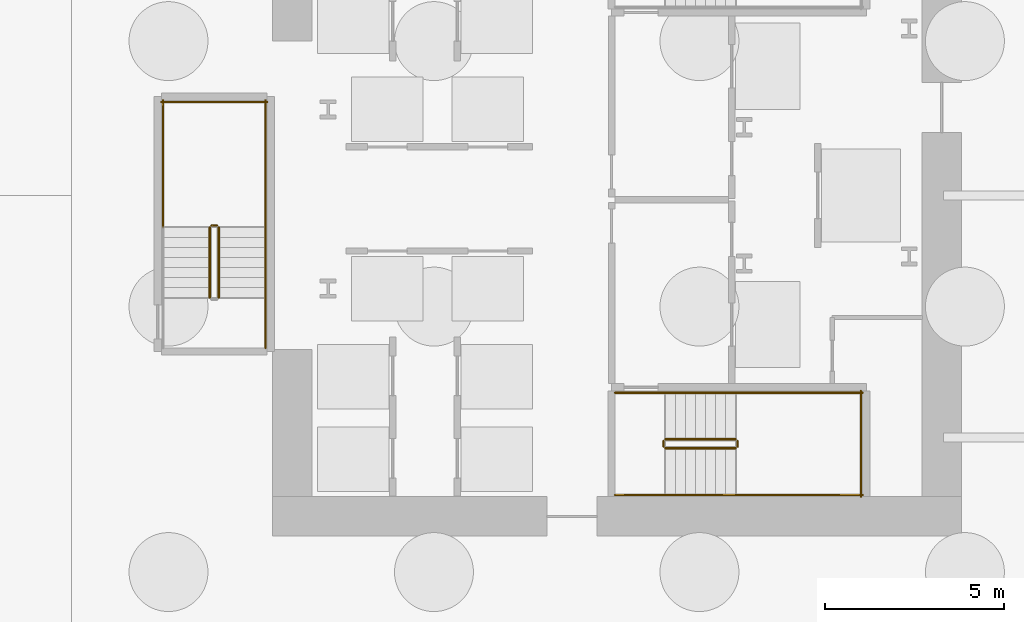
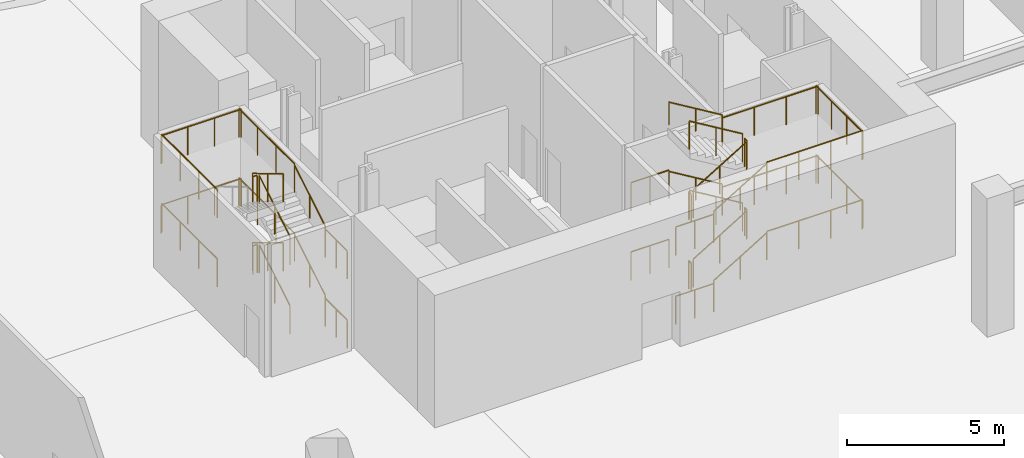
# One storey, part 11 of 16: 38 railings.
"""IFC4 building model written with IfcOpenShell, lengths in metres."""

from ifc_helpers import new_model, si_unit, direction, frame, origin, origin_2d, place, context, subcontext, project, spatial, circle, extrude, material, type_object, element, save


model = new_model("IFC4")

# Units and contexts
model_context = context("Model", 3, precision=1e-05, world=origin(), true_north=direction((0.0, 1.0)))
body_context = subcontext(model_context, "Body", "Model", "MODEL_VIEW")
ifc_project = project(units=[si_unit("LENGTHUNIT", "METRE"), si_unit("AREAUNIT", "SQUARE_METRE"), si_unit("VOLUMEUNIT", "CUBIC_METRE"), si_unit("PLANEANGLEUNIT", "RADIAN"), si_unit("MASSUNIT", "GRAM", prefix="KILO")], contexts=[model_context])

# Site, building, storey
site_placement = place(None, origin())
site = spatial("IfcSite", under=ifc_project, at=site_placement, CompositionType="ELEMENT")
building_placement = place(site_placement, origin())
building = spatial("IfcBuilding", under=site, at=building_placement, Name="Valkerne Bourse Tower", CompositionType="ELEMENT")
storey_placement = place(building_placement, frame((0.0, 0.0, -5.39990234375)))
storey = spatial("IfcBuildingStorey", under=building, at=storey_placement, Name="B1", CompositionType="ELEMENT", Elevation=-5.39990234375)

# Railings
ifc_material_1 = material(Name="Galvanised Painted Steel", Category="steel")
railing_type_1 = type_object("IfcRailingType", Name="RLG-ST-GUARD-1120", PredefinedType="GUARDRAIL", material=ifc_material_1)
railing_1_placement = place(storey_placement, frame((48.14990234375, 19.949951171875, 0.168701171875)))
element("IfcRailing", 1, at=railing_1_placement, inside=storey, type_object=railing_type_1, Name="B1 ST-1 stair guard 1", PredefinedType="GUARDRAIL", context=body_context, shape_type="SweptSolid", body=[
    extrude(circle(Radius=0.02392578125, at=origin_2d()), frame((0.0, 0.0, 1.09619140625), z_axis=(0.856521883693, 0.0, 0.516110707847), x_axis=(0.0, 1.0, 0.0)), (0.0, 0.0, 1.0), 2.28857421875),
    extrude(circle(Radius=0.02099609375, at=origin_2d()), origin(), (0.0, 0.0, 1.0), 1.072021484375),
    extrude(circle(Radius=0.02099609375, at=origin_2d()), frame((0.97998046875, 0.0, 0.590576171875)), (0.0, 0.0, 1.0), 1.072021484375),
    extrude(circle(Radius=0.02099609375, at=origin_2d()), frame((1.960205078125, 0.0, 1.18115234375)), (0.0, 0.0, 1.0), 1.072021484375),
])
railing_2_placement = place(storey_placement, frame((50.159912109375, 20.0, 1.349853515625)))
element("IfcRailing", 2, at=railing_2_placement, inside=storey, type_object=railing_type_1, Name="B1 ST-1 stair guard 2", PredefinedType="GUARDRAIL", context=body_context, shape_type="SweptSolid", body=[
    extrude(circle(Radius=0.02392578125, at=origin_2d()), frame((0.0, 0.0, 1.09619140625), z_axis=(0.0, 1.0, 0.0), x_axis=(-1.0, 0.0, 0.0)), (0.0, 0.0, 1.0), 0.14990234375),
    extrude(circle(Radius=0.02099609375, at=origin_2d()), origin(), (0.0, 0.0, 1.0), 1.072021484375),
    extrude(circle(Radius=0.02099609375, at=origin_2d()), frame((0.0, 0.14990234375, 0.0)), (0.0, 0.0, 1.0), 1.072021484375),
])
for number, where, name in (
    (3, (50.110107421875, 18.64990234375, 1.349853515625), "B1 ST-1 stair guard 3"),
    (4, (50.110107421875, 21.5, 1.349853515625), "B1 ST-1 stair guard 4"),
):
    element("IfcRailing", number, at=place(storey_placement, frame(where)), inside=storey, type_object=railing_type_1, Name=name, PredefinedType="GUARDRAIL", context=body_context, shape_type="SweptSolid", body=[
        extrude(circle(Radius=0.02392578125, at=origin_2d()), frame((0.0, 0.0, 1.09619140625), z_axis=(1.0, 0.0, 0.0), x_axis=(0.0, 1.0, 0.0)), (0.0, 0.0, 1.0), 3.539794921875),
        extrude(circle(Radius=0.02099609375, at=origin_2d()), origin(), (0.0, 0.0, 1.0), 1.072021484375),
        extrude(circle(Radius=0.02099609375, at=origin_2d()), frame((1.179931640625, 0.0, 0.0)), (0.0, 0.0, 1.0), 1.072021484375),
        extrude(circle(Radius=0.02099609375, at=origin_2d()), frame((2.35986328125, 0.0, 0.0)), (0.0, 0.0, 1.0), 1.072021484375),
        extrude(circle(Radius=0.02099609375, at=origin_2d()), frame((3.539794921875, 0.0, 0.0)), (0.0, 0.0, 1.0), 1.072021484375),
    ])
railing_3_placement = place(storey_placement, frame((53.60009765625, 18.60009765625, 1.349853515625)))
element("IfcRailing", 5, at=railing_3_placement, inside=storey, type_object=railing_type_1, Name="B1 ST-1 stair guard 5", PredefinedType="GUARDRAIL", context=body_context, shape_type="SweptSolid", body=[
    extrude(circle(Radius=0.02392578125, at=origin_2d()), frame((0.0, 0.0, 1.09619140625), z_axis=(0.0, 1.0, 0.0), x_axis=(-1.0, 0.0, 0.0)), (0.0, 0.0, 1.0), 2.949951171875),
    extrude(circle(Radius=0.02099609375, at=origin_2d()), origin(), (0.0, 0.0, 1.0), 1.072021484375),
    extrude(circle(Radius=0.02099609375, at=origin_2d()), frame((0.0, 0.9833984375, 0.0)), (0.0, 0.0, 1.0), 1.072021484375),
    extrude(circle(Radius=0.02099609375, at=origin_2d()), frame((0.0, 1.966552734375, 0.0)), (0.0, 0.0, 1.0), 1.072021484375),
    extrude(circle(Radius=0.02099609375, at=origin_2d()), frame((0.0, 2.949951171875, 0.0)), (0.0, 0.0, 1.0), 1.072021484375),
])
railing_4_placement = place(storey_placement, frame((50.110107421875, 20.199951171875, 1.5185546875)))
element("IfcRailing", 6, at=railing_4_placement, inside=storey, type_object=railing_type_1, Name="B1 ST-1 stair guard 6", PredefinedType="GUARDRAIL", context=body_context, shape_type="SweptSolid", body=[
    extrude(circle(Radius=0.02392578125, at=origin_2d()), frame((0.0, 0.0, 1.09619140625), z_axis=(-0.856474724393, 0.0, 0.516188963923), x_axis=(0.0, -1.0, 0.0)), (0.0, 0.0, 1.0), 2.28857421875),
    extrude(circle(Radius=0.02099609375, at=origin_2d()), origin(), (0.0, 0.0, 1.0), 1.072021484375),
    extrude(circle(Radius=0.02099609375, at=origin_2d()), frame((-0.97998046875, 0.0, 0.5908203125)), (0.0, 0.0, 1.0), 1.072021484375),
    extrude(circle(Radius=0.02099609375, at=origin_2d()), frame((-1.960205078125, 0.0, 1.181396484375)), (0.0, 0.0, 1.0), 1.072021484375),
])
railing_5_placement = place(storey_placement, frame((48.10009765625, 20.0, 2.699951171875)))
element("IfcRailing", 7, at=railing_5_placement, inside=storey, type_object=railing_type_1, Name="B1 ST-1 stair guard 7", PredefinedType="GUARDRAIL", context=body_context, shape_type="SweptSolid", body=[
    extrude(circle(Radius=0.02392578125, at=origin_2d()), frame((0.0, 0.0, 1.09619140625), z_axis=(0.0, 1.0, 0.0), x_axis=(-1.0, 0.0, 0.0)), (0.0, 0.0, 1.0), 0.14990234375),
    extrude(circle(Radius=0.02099609375, at=origin_2d()), origin(), (0.0, 0.0, 1.0), 1.072021484375),
    extrude(circle(Radius=0.02099609375, at=origin_2d()), frame((0.0, 0.14990234375, 0.0)), (0.0, 0.0, 1.0), 1.072021484375),
])
for number, where, name in (
    (8, (46.75, 18.64990234375, 2.699951171875), "B1 ST-1 stair guard 8"),
    (9, (46.75, 21.5, 2.699951171875), "B1 ST-1 stair guard 9"),
):
    element("IfcRailing", number, at=place(storey_placement, frame(where)), inside=storey, type_object=railing_type_1, Name=name, PredefinedType="GUARDRAIL", context=body_context, shape_type="SweptSolid", body=[
        extrude(circle(Radius=0.02392578125, at=origin_2d()), frame((0.0, 0.0, 1.09619140625), z_axis=(1.0, 0.0, 0.0), x_axis=(0.0, 1.0, 0.0)), (0.0, 0.0, 1.0), 1.39990234375),
        extrude(circle(Radius=0.02099609375, at=origin_2d()), origin(), (0.0, 0.0, 1.0), 1.072021484375),
        extrude(circle(Radius=0.02099609375, at=origin_2d()), frame((0.699951171875, 0.0, 0.0)), (0.0, 0.0, 1.0), 1.072021484375),
        extrude(circle(Radius=0.02099609375, at=origin_2d()), frame((1.39990234375, 0.0, 0.0)), (0.0, 0.0, 1.0), 1.072021484375),
    ])
railing_6_placement = place(storey_placement, frame((48.14990234375, 19.949951171875, 2.86865234375)))
element("IfcRailing", 10, at=railing_6_placement, inside=storey, type_object=railing_type_1, Name="B1 ST-1 stair guard 10", PredefinedType="GUARDRAIL", context=body_context, shape_type="SweptSolid", body=[
    extrude(circle(Radius=0.02392578125, at=origin_2d()), frame((0.0, 0.0, 1.09619140625), z_axis=(0.856521883693, 0.0, 0.516110707847), x_axis=(0.0, 1.0, 0.0)), (0.0, 0.0, 1.0), 2.28857421875),
    extrude(circle(Radius=0.02099609375, at=origin_2d()), origin(), (0.0, 0.0, 1.0), 1.072021484375),
    extrude(circle(Radius=0.02099609375, at=origin_2d()), frame((0.97998046875, 0.0, 0.590576171875)), (0.0, 0.0, 1.0), 1.072021484375),
    extrude(circle(Radius=0.02099609375, at=origin_2d()), frame((1.960205078125, 0.0, 1.18115234375)), (0.0, 0.0, 1.0), 1.072021484375),
])
railing_7_placement = place(storey_placement, frame((50.159912109375, 20.0, 4.0498046875)))
element("IfcRailing", 11, at=railing_7_placement, inside=storey, type_object=railing_type_1, Name="B1 ST-1 stair guard 11", PredefinedType="GUARDRAIL", context=body_context, shape_type="SweptSolid", body=[
    extrude(circle(Radius=0.02392578125, at=origin_2d()), frame((0.0, 0.0, 1.09619140625), z_axis=(0.0, 1.0, 0.0), x_axis=(-1.0, 0.0, 0.0)), (0.0, 0.0, 1.0), 0.14990234375),
    extrude(circle(Radius=0.02099609375, at=origin_2d()), origin(), (0.0, 0.0, 1.0), 1.072021484375),
    extrude(circle(Radius=0.02099609375, at=origin_2d()), frame((0.0, 0.14990234375, 0.0)), (0.0, 0.0, 1.0), 1.072021484375),
])
for number, where, name in (
    (12, (50.110107421875, 18.64990234375, 4.0498046875), "B1 ST-1 stair guard 12"),
    (13, (50.110107421875, 21.5, 4.0498046875), "B1 ST-1 stair guard 13"),
):
    element("IfcRailing", number, at=place(storey_placement, frame(where)), inside=storey, type_object=railing_type_1, Name=name, PredefinedType="GUARDRAIL", context=body_context, shape_type="SweptSolid", body=[
        extrude(circle(Radius=0.02392578125, at=origin_2d()), frame((0.0, 0.0, 1.09619140625), z_axis=(1.0, 0.0, 0.0), x_axis=(0.0, 1.0, 0.0)), (0.0, 0.0, 1.0), 3.539794921875),
        extrude(circle(Radius=0.02099609375, at=origin_2d()), origin(), (0.0, 0.0, 1.0), 1.072021484375),
        extrude(circle(Radius=0.02099609375, at=origin_2d()), frame((1.179931640625, 0.0, 0.0)), (0.0, 0.0, 1.0), 1.072021484375),
        extrude(circle(Radius=0.02099609375, at=origin_2d()), frame((2.35986328125, 0.0, 0.0)), (0.0, 0.0, 1.0), 1.072021484375),
        extrude(circle(Radius=0.02099609375, at=origin_2d()), frame((3.539794921875, 0.0, 0.0)), (0.0, 0.0, 1.0), 1.072021484375),
    ])
railing_8_placement = place(storey_placement, frame((53.60009765625, 18.60009765625, 4.0498046875)))
element("IfcRailing", 14, at=railing_8_placement, inside=storey, type_object=railing_type_1, Name="B1 ST-1 stair guard 14", PredefinedType="GUARDRAIL", context=body_context, shape_type="SweptSolid", body=[
    extrude(circle(Radius=0.02392578125, at=origin_2d()), frame((0.0, 0.0, 1.09619140625), z_axis=(0.0, 1.0, 0.0), x_axis=(-1.0, 0.0, 0.0)), (0.0, 0.0, 1.0), 2.949951171875),
    extrude(circle(Radius=0.02099609375, at=origin_2d()), origin(), (0.0, 0.0, 1.0), 1.072021484375),
    extrude(circle(Radius=0.02099609375, at=origin_2d()), frame((0.0, 0.9833984375, 0.0)), (0.0, 0.0, 1.0), 1.072021484375),
    extrude(circle(Radius=0.02099609375, at=origin_2d()), frame((0.0, 1.966552734375, 0.0)), (0.0, 0.0, 1.0), 1.072021484375),
    extrude(circle(Radius=0.02099609375, at=origin_2d()), frame((0.0, 2.949951171875, 0.0)), (0.0, 0.0, 1.0), 1.072021484375),
])
railing_9_placement = place(storey_placement, frame((50.110107421875, 20.199951171875, 4.21875)))
element("IfcRailing", 15, at=railing_9_placement, inside=storey, type_object=railing_type_1, Name="B1 ST-1 stair guard 15", PredefinedType="GUARDRAIL", context=body_context, shape_type="SweptSolid", body=[
    extrude(circle(Radius=0.02392578125, at=origin_2d()), frame((0.0, 0.0, 1.09619140625), z_axis=(-0.856521883693, 0.0, 0.516110707847), x_axis=(0.0, -1.0, 0.0)), (0.0, 0.0, 1.0), 2.28857421875),
    extrude(circle(Radius=0.02099609375, at=origin_2d()), origin(), (0.0, 0.0, 1.0), 1.072021484375),
    extrude(circle(Radius=0.02099609375, at=origin_2d()), frame((-0.97998046875, 0.0, 0.590576171875)), (0.0, 0.0, 1.0), 1.072021484375),
    extrude(circle(Radius=0.02099609375, at=origin_2d()), frame((-1.960205078125, 0.0, 1.18115234375)), (0.0, 0.0, 1.0), 1.072021484375),
])
railing_10_placement = place(storey_placement, frame((48.10009765625, 20.0, 0.0)))
element("IfcRailing", 16, at=railing_10_placement, inside=storey, type_object=railing_type_1, Name="B1 ST-1 stair guard 16", PredefinedType="GUARDRAIL", context=body_context, shape_type="SweptSolid", body=[
    extrude(circle(Radius=0.02392578125, at=origin_2d()), frame((0.0, 0.0, 1.09619140625), z_axis=(0.0, 1.0, 0.0), x_axis=(-1.0, 0.0, 0.0)), (0.0, 0.0, 1.0), 0.14990234375),
    extrude(circle(Radius=0.02099609375, at=origin_2d()), origin(), (0.0, 0.0, 1.0), 1.072021484375),
    extrude(circle(Radius=0.02099609375, at=origin_2d()), frame((0.0, 0.14990234375, 0.0)), (0.0, 0.0, 1.0), 1.072021484375),
])
for number, where, name in (
    (17, (46.75, 18.64990234375, 0.0), "B1 ST-1 stair guard 17"),
    (18, (46.75, 21.5, 0.0), "B1 ST-1 stair guard 18"),
):
    element("IfcRailing", number, at=place(storey_placement, frame(where)), inside=storey, type_object=railing_type_1, Name=name, PredefinedType="GUARDRAIL", context=body_context, shape_type="SweptSolid", body=[
        extrude(circle(Radius=0.02392578125, at=origin_2d()), frame((0.0, 0.0, 1.09619140625), z_axis=(1.0, 0.0, 0.0), x_axis=(0.0, 1.0, 0.0)), (0.0, 0.0, 1.0), 1.39990234375),
        extrude(circle(Radius=0.02099609375, at=origin_2d()), origin(), (0.0, 0.0, 1.0), 1.072021484375),
        extrude(circle(Radius=0.02099609375, at=origin_2d()), frame((0.699951171875, 0.0, 0.0)), (0.0, 0.0, 1.0), 1.072021484375),
        extrude(circle(Radius=0.02099609375, at=origin_2d()), frame((1.39990234375, 0.0, 0.0)), (0.0, 0.0, 1.0), 1.072021484375),
    ])
railing_11_placement = place(storey_placement, frame((35.699951171875, 24.14990234375, 0.168701171875)))
element("IfcRailing", 19, at=railing_11_placement, inside=storey, type_object=railing_type_1, Name="B1 ST-3 stair guard 1", PredefinedType="GUARDRAIL", context=body_context, shape_type="SweptSolid", body=[
    extrude(circle(Radius=0.02392578125, at=origin_2d()), frame((0.0, 0.0, 1.09619140625), z_axis=(0.0, 0.856521883693, 0.516110707847), x_axis=(-1.0, 0.0, 0.0)), (0.0, 0.0, 1.0), 2.28857421875),
    extrude(circle(Radius=0.02099609375, at=origin_2d()), origin(), (0.0, 0.0, 1.0), 1.072021484375),
    extrude(circle(Radius=0.02099609375, at=origin_2d()), frame((0.0, 0.97998046875, 0.590576171875)), (0.0, 0.0, 1.0), 1.072021484375),
    extrude(circle(Radius=0.02099609375, at=origin_2d()), frame((0.0, 1.960205078125, 1.18115234375)), (0.0, 0.0, 1.0), 1.072021484375),
])
railing_12_placement = place(storey_placement, frame((35.64990234375, 26.159912109375, 1.349853515625)))
element("IfcRailing", 20, at=railing_12_placement, inside=storey, type_object=railing_type_1, Name="B1 ST-3 stair guard 2", PredefinedType="GUARDRAIL", context=body_context, shape_type="SweptSolid", body=[
    extrude(circle(Radius=0.02392578125, at=origin_2d()), frame((0.0, 0.0, 1.09619140625), z_axis=(-1.0, 0.0, 0.0), x_axis=(0.0, -1.0, 0.0)), (0.0, 0.0, 1.0), 0.14990234375),
    extrude(circle(Radius=0.02099609375, at=origin_2d()), origin(), (0.0, 0.0, 1.0), 1.072021484375),
    extrude(circle(Radius=0.02099609375, at=origin_2d()), frame((-0.14990234375, 0.0, 0.0)), (0.0, 0.0, 1.0), 1.072021484375),
])
for number, where, name in (
    (21, (37.0, 26.110107421875, 1.349853515625), "B1 ST-3 stair guard 3"),
    (22, (34.14990234375, 26.110107421875, 1.349853515625), "B1 ST-3 stair guard 4"),
):
    element("IfcRailing", number, at=place(storey_placement, frame(where)), inside=storey, type_object=railing_type_1, Name=name, PredefinedType="GUARDRAIL", context=body_context, shape_type="SweptSolid", body=[
        extrude(circle(Radius=0.02392578125, at=origin_2d()), frame((0.0, 0.0, 1.09619140625), z_axis=(0.0, 1.0, 0.0), x_axis=(-1.0, 0.0, 0.0)), (0.0, 0.0, 1.0), 3.539794921875),
        extrude(circle(Radius=0.02099609375, at=origin_2d()), origin(), (0.0, 0.0, 1.0), 1.072021484375),
        extrude(circle(Radius=0.02099609375, at=origin_2d()), frame((0.0, 1.179931640625, 0.0)), (0.0, 0.0, 1.0), 1.072021484375),
        extrude(circle(Radius=0.02099609375, at=origin_2d()), frame((0.0, 2.35986328125, 0.0)), (0.0, 0.0, 1.0), 1.072021484375),
        extrude(circle(Radius=0.02099609375, at=origin_2d()), frame((0.0, 3.539794921875, 0.0)), (0.0, 0.0, 1.0), 1.072021484375),
    ])
railing_13_placement = place(storey_placement, frame((37.050048828125, 29.60009765625, 1.349853515625)))
element("IfcRailing", 23, at=railing_13_placement, inside=storey, type_object=railing_type_1, Name="B1 ST-3 stair guard 5", PredefinedType="GUARDRAIL", context=body_context, shape_type="SweptSolid", body=[
    extrude(circle(Radius=0.02392578125, at=origin_2d()), frame((0.0, 0.0, 1.09619140625), z_axis=(-1.0, 0.0, 0.0), x_axis=(0.0, -1.0, 0.0)), (0.0, 0.0, 1.0), 2.949951171875),
    extrude(circle(Radius=0.02099609375, at=origin_2d()), origin(), (0.0, 0.0, 1.0), 1.072021484375),
    extrude(circle(Radius=0.02099609375, at=origin_2d()), frame((-0.9833984375, 0.0, 0.0)), (0.0, 0.0, 1.0), 1.072021484375),
    extrude(circle(Radius=0.02099609375, at=origin_2d()), frame((-1.966552734375, 0.0, 0.0)), (0.0, 0.0, 1.0), 1.072021484375),
    extrude(circle(Radius=0.02099609375, at=origin_2d()), frame((-2.949951171875, 0.0, 0.0)), (0.0, 0.0, 1.0), 1.072021484375),
])
railing_14_placement = place(storey_placement, frame((35.449951171875, 26.110107421875, 1.5185546875)))
element("IfcRailing", 24, at=railing_14_placement, inside=storey, type_object=railing_type_1, Name="B1 ST-3 stair guard 6", PredefinedType="GUARDRAIL", context=body_context, shape_type="SweptSolid", body=[
    extrude(circle(Radius=0.02392578125, at=origin_2d()), frame((0.0, 0.0, 1.09619140625), z_axis=(0.0, -0.856474724393, 0.516188963923), x_axis=(1.0, 0.0, 0.0)), (0.0, 0.0, 1.0), 2.28857421875),
    extrude(circle(Radius=0.02099609375, at=origin_2d()), origin(), (0.0, 0.0, 1.0), 1.072021484375),
    extrude(circle(Radius=0.02099609375, at=origin_2d()), frame((0.0, -0.97998046875, 0.5908203125)), (0.0, 0.0, 1.0), 1.072021484375),
    extrude(circle(Radius=0.02099609375, at=origin_2d()), frame((0.0, -1.960205078125, 1.181396484375)), (0.0, 0.0, 1.0), 1.072021484375),
])
railing_15_placement = place(storey_placement, frame((37.0, 22.75, 2.699951171875)))
element("IfcRailing", 25, at=railing_15_placement, inside=storey, type_object=railing_type_1, Name="B1 ST-3 stair guard 8", PredefinedType="GUARDRAIL", context=body_context, shape_type="SweptSolid", body=[
    extrude(circle(Radius=0.02392578125, at=origin_2d()), frame((0.0, 0.0, 1.09619140625), z_axis=(0.0, 1.0, 0.0), x_axis=(-1.0, 0.0, 0.0)), (0.0, 0.0, 1.0), 1.39990234375),
    extrude(circle(Radius=0.02099609375, at=origin_2d()), origin(), (0.0, 0.0, 1.0), 1.072021484375),
    extrude(circle(Radius=0.02099609375, at=origin_2d()), frame((0.0, 0.699951171875, 0.0)), (0.0, 0.0, 1.0), 1.072021484375),
    extrude(circle(Radius=0.02099609375, at=origin_2d()), frame((0.0, 1.39990234375, 0.0)), (0.0, 0.0, 1.0), 1.072021484375),
])
railing_16_placement = place(storey_placement, frame((35.699951171875, 24.14990234375, 2.86865234375)))
element("IfcRailing", 26, at=railing_16_placement, inside=storey, type_object=railing_type_1, Name="B1 ST-3 stair guard 10", PredefinedType="GUARDRAIL", context=body_context, shape_type="SweptSolid", body=[
    extrude(circle(Radius=0.02392578125, at=origin_2d()), frame((0.0, 0.0, 1.09619140625), z_axis=(0.0, 0.856521883693, 0.516110707847), x_axis=(-1.0, 0.0, 0.0)), (0.0, 0.0, 1.0), 2.28857421875),
    extrude(circle(Radius=0.02099609375, at=origin_2d()), origin(), (0.0, 0.0, 1.0), 1.072021484375),
    extrude(circle(Radius=0.02099609375, at=origin_2d()), frame((0.0, 0.97998046875, 0.590576171875)), (0.0, 0.0, 1.0), 1.072021484375),
    extrude(circle(Radius=0.02099609375, at=origin_2d()), frame((0.0, 1.960205078125, 1.18115234375)), (0.0, 0.0, 1.0), 1.072021484375),
])
railing_17_placement = place(storey_placement, frame((35.64990234375, 26.159912109375, 4.0498046875)))
element("IfcRailing", 27, at=railing_17_placement, inside=storey, type_object=railing_type_1, Name="B1 ST-3 stair guard 11", PredefinedType="GUARDRAIL", context=body_context, shape_type="SweptSolid", body=[
    extrude(circle(Radius=0.02392578125, at=origin_2d()), frame((0.0, 0.0, 1.09619140625), z_axis=(-1.0, 0.0, 0.0), x_axis=(0.0, -1.0, 0.0)), (0.0, 0.0, 1.0), 0.14990234375),
    extrude(circle(Radius=0.02099609375, at=origin_2d()), origin(), (0.0, 0.0, 1.0), 1.072021484375),
    extrude(circle(Radius=0.02099609375, at=origin_2d()), frame((-0.14990234375, 0.0, 0.0)), (0.0, 0.0, 1.0), 1.072021484375),
])
for number, where, name in (
    (28, (37.0, 26.110107421875, 4.0498046875), "B1 ST-3 stair guard 12"),
    (29, (34.14990234375, 26.110107421875, 4.0498046875), "B1 ST-3 stair guard 13"),
):
    element("IfcRailing", number, at=place(storey_placement, frame(where)), inside=storey, type_object=railing_type_1, Name=name, PredefinedType="GUARDRAIL", context=body_context, shape_type="SweptSolid", body=[
        extrude(circle(Radius=0.02392578125, at=origin_2d()), frame((0.0, 0.0, 1.09619140625), z_axis=(0.0, 1.0, 0.0), x_axis=(-1.0, 0.0, 0.0)), (0.0, 0.0, 1.0), 3.539794921875),
        extrude(circle(Radius=0.02099609375, at=origin_2d()), origin(), (0.0, 0.0, 1.0), 1.072021484375),
        extrude(circle(Radius=0.02099609375, at=origin_2d()), frame((0.0, 1.179931640625, 0.0)), (0.0, 0.0, 1.0), 1.072021484375),
        extrude(circle(Radius=0.02099609375, at=origin_2d()), frame((0.0, 2.35986328125, 0.0)), (0.0, 0.0, 1.0), 1.072021484375),
        extrude(circle(Radius=0.02099609375, at=origin_2d()), frame((0.0, 3.539794921875, 0.0)), (0.0, 0.0, 1.0), 1.072021484375),
    ])
railing_18_placement = place(storey_placement, frame((37.050048828125, 29.60009765625, 4.0498046875)))
element("IfcRailing", 30, at=railing_18_placement, inside=storey, type_object=railing_type_1, Name="B1 ST-3 stair guard 14", PredefinedType="GUARDRAIL", context=body_context, shape_type="SweptSolid", body=[
    extrude(circle(Radius=0.02392578125, at=origin_2d()), frame((0.0, 0.0, 1.09619140625), z_axis=(-1.0, 0.0, 0.0), x_axis=(0.0, -1.0, 0.0)), (0.0, 0.0, 1.0), 2.949951171875),
    extrude(circle(Radius=0.02099609375, at=origin_2d()), origin(), (0.0, 0.0, 1.0), 1.072021484375),
    extrude(circle(Radius=0.02099609375, at=origin_2d()), frame((-0.9833984375, 0.0, 0.0)), (0.0, 0.0, 1.0), 1.072021484375),
    extrude(circle(Radius=0.02099609375, at=origin_2d()), frame((-1.966552734375, 0.0, 0.0)), (0.0, 0.0, 1.0), 1.072021484375),
    extrude(circle(Radius=0.02099609375, at=origin_2d()), frame((-2.949951171875, 0.0, 0.0)), (0.0, 0.0, 1.0), 1.072021484375),
])
railing_19_placement = place(storey_placement, frame((35.449951171875, 26.110107421875, 4.21875)))
element("IfcRailing", 31, at=railing_19_placement, inside=storey, type_object=railing_type_1, Name="B1 ST-3 stair guard 15", PredefinedType="GUARDRAIL", context=body_context, shape_type="SweptSolid", body=[
    extrude(circle(Radius=0.02392578125, at=origin_2d()), frame((0.0, 0.0, 1.09619140625), z_axis=(0.0, -0.856521883693, 0.516110707847), x_axis=(1.0, 0.0, 0.0)), (0.0, 0.0, 1.0), 2.28857421875),
    extrude(circle(Radius=0.02099609375, at=origin_2d()), origin(), (0.0, 0.0, 1.0), 1.072021484375),
    extrude(circle(Radius=0.02099609375, at=origin_2d()), frame((0.0, -0.97998046875, 0.590576171875)), (0.0, 0.0, 1.0), 1.072021484375),
    extrude(circle(Radius=0.02099609375, at=origin_2d()), frame((0.0, -1.960205078125, 1.18115234375)), (0.0, 0.0, 1.0), 1.072021484375),
])
railing_20_placement = place(storey_placement, frame((37.0, 22.75, 0.0)))
element("IfcRailing", 32, at=railing_20_placement, inside=storey, type_object=railing_type_1, Name="B1 ST-3 stair guard 17", PredefinedType="GUARDRAIL", context=body_context, shape_type="SweptSolid", body=[
    extrude(circle(Radius=0.02392578125, at=origin_2d()), frame((0.0, 0.0, 1.09619140625), z_axis=(0.0, 1.0, 0.0), x_axis=(-1.0, 0.0, 0.0)), (0.0, 0.0, 1.0), 1.39990234375),
    extrude(circle(Radius=0.02099609375, at=origin_2d()), origin(), (0.0, 0.0, 1.0), 1.072021484375),
    extrude(circle(Radius=0.02099609375, at=origin_2d()), frame((0.0, 0.699951171875, 0.0)), (0.0, 0.0, 1.0), 1.072021484375),
    extrude(circle(Radius=0.02099609375, at=origin_2d()), frame((0.0, 1.39990234375, 0.0)), (0.0, 0.0, 1.0), 1.072021484375),
])
ifc_material_2 = material(Name="Stainless Steel AISI 316", Category="steel")
railing_type_2 = type_object("IfcRailingType", Name="RLG-ST-HANDRAIL-900", PredefinedType="HANDRAIL", material=ifc_material_2)
railing_21_placement = place(storey_placement, frame((48.14990234375, 18.64990234375, 0.33740234375)))
element("IfcRailing", 33, at=railing_21_placement, inside=storey, type_object=railing_type_2, Name="B1 ST-1 stair handrail 1", PredefinedType="HANDRAIL", context=body_context, shape_type="SweptSolid", body=[
    extrude(circle(Radius=0.02392578125, at=origin_2d()), frame((0.0, 0.0, 0.8759765625), z_axis=(0.856521883693, 0.0, 0.516110707847), x_axis=(0.0, 1.0, 0.0)), (0.0, 0.0, 1.0), 2.28857421875),
    extrude(circle(Radius=0.02099609375, at=origin_2d()), origin(), (0.0, 0.0, 1.0), 0.851806640625),
    extrude(circle(Radius=0.02099609375, at=origin_2d()), frame((0.97998046875, 0.0, 0.590576171875)), (0.0, 0.0, 1.0), 0.851806640625),
    extrude(circle(Radius=0.02099609375, at=origin_2d()), frame((1.960205078125, 0.0, 1.18115234375)), (0.0, 0.0, 1.0), 0.851806640625),
])
railing_22_placement = place(storey_placement, frame((50.110107421875, 21.5, 1.6875)))
element("IfcRailing", 34, at=railing_22_placement, inside=storey, type_object=railing_type_2, Name="B1 ST-1 stair handrail 2", PredefinedType="HANDRAIL", context=body_context, shape_type="SweptSolid", body=[
    extrude(circle(Radius=0.02392578125, at=origin_2d()), frame((0.0, 0.0, 0.8759765625), z_axis=(-0.856521883693, 0.0, 0.516110707847), x_axis=(0.0, -1.0, 0.0)), (0.0, 0.0, 1.0), 2.28857421875),
    extrude(circle(Radius=0.02099609375, at=origin_2d()), origin(), (0.0, 0.0, 1.0), 0.851806640625),
    extrude(circle(Radius=0.02099609375, at=origin_2d()), frame((-0.97998046875, 0.0, 0.590576171875)), (0.0, 0.0, 1.0), 0.851806640625),
    extrude(circle(Radius=0.02099609375, at=origin_2d()), frame((-1.960205078125, 0.0, 1.18115234375)), (0.0, 0.0, 1.0), 0.851806640625),
])
railing_23_placement = place(storey_placement, frame((48.14990234375, 18.64990234375, 3.037353515625)))
element("IfcRailing", 35, at=railing_23_placement, inside=storey, type_object=railing_type_2, Name="B1 ST-1 stair handrail 3", PredefinedType="HANDRAIL", context=body_context, shape_type="SweptSolid", body=[
    extrude(circle(Radius=0.02392578125, at=origin_2d()), frame((0.0, 0.0, 0.8759765625), z_axis=(0.856474724393, 0.0, 0.516188963923), x_axis=(0.0, 1.0, 0.0)), (0.0, 0.0, 1.0), 2.28857421875),
    extrude(circle(Radius=0.02099609375, at=origin_2d()), origin(), (0.0, 0.0, 1.0), 0.851806640625),
    extrude(circle(Radius=0.02099609375, at=origin_2d()), frame((0.97998046875, 0.0, 0.5908203125)), (0.0, 0.0, 1.0), 0.851806640625),
    extrude(circle(Radius=0.02099609375, at=origin_2d()), frame((1.960205078125, 0.0, 1.181396484375)), (0.0, 0.0, 1.0), 0.851806640625),
])
railing_24_placement = place(storey_placement, frame((50.110107421875, 21.5, 4.387451171875)))
element("IfcRailing", 36, at=railing_24_placement, inside=storey, type_object=railing_type_2, Name="B1 ST-1 stair handrail 4", PredefinedType="HANDRAIL", context=body_context, shape_type="SweptSolid", body=[
    extrude(circle(Radius=0.02392578125, at=origin_2d()), frame((0.0, 0.0, 0.8759765625), z_axis=(-0.856521883693, 0.0, 0.516110707847), x_axis=(0.0, -1.0, 0.0)), (0.0, 0.0, 1.0), 2.28857421875),
    extrude(circle(Radius=0.02099609375, at=origin_2d()), origin(), (0.0, 0.0, 1.0), 0.851806640625),
    extrude(circle(Radius=0.02099609375, at=origin_2d()), frame((-0.97998046875, 0.0, 0.590576171875)), (0.0, 0.0, 1.0), 0.851806640625),
    extrude(circle(Radius=0.02099609375, at=origin_2d()), frame((-1.960205078125, 0.0, 1.18115234375)), (0.0, 0.0, 1.0), 0.851806640625),
])
railing_25_placement = place(storey_placement, frame((37.0, 24.14990234375, 0.33740234375)))
element("IfcRailing", 37, at=railing_25_placement, inside=storey, type_object=railing_type_2, Name="B1 ST-3 stair handrail 1", PredefinedType="HANDRAIL", context=body_context, shape_type="SweptSolid", body=[
    extrude(circle(Radius=0.02392578125, at=origin_2d()), frame((0.0, 0.0, 0.8759765625), z_axis=(0.0, 0.856521883693, 0.516110707847), x_axis=(-1.0, 0.0, 0.0)), (0.0, 0.0, 1.0), 2.28857421875),
    extrude(circle(Radius=0.02099609375, at=origin_2d()), origin(), (0.0, 0.0, 1.0), 0.851806640625),
    extrude(circle(Radius=0.02099609375, at=origin_2d()), frame((0.0, 0.97998046875, 0.590576171875)), (0.0, 0.0, 1.0), 0.851806640625),
    extrude(circle(Radius=0.02099609375, at=origin_2d()), frame((0.0, 1.960205078125, 1.18115234375)), (0.0, 0.0, 1.0), 0.851806640625),
])
railing_26_placement = place(storey_placement, frame((37.0, 24.14990234375, 3.037353515625)))
element("IfcRailing", 38, at=railing_26_placement, inside=storey, type_object=railing_type_2, Name="B1 ST-3 stair handrail 3", PredefinedType="HANDRAIL", context=body_context, shape_type="SweptSolid", body=[
    extrude(circle(Radius=0.02392578125, at=origin_2d()), frame((0.0, 0.0, 0.8759765625), z_axis=(0.0, 0.856474724393, 0.516188963923), x_axis=(-1.0, 0.0, 0.0)), (0.0, 0.0, 1.0), 2.28857421875),
    extrude(circle(Radius=0.02099609375, at=origin_2d()), origin(), (0.0, 0.0, 1.0), 0.851806640625),
    extrude(circle(Radius=0.02099609375, at=origin_2d()), frame((0.0, 0.97998046875, 0.5908203125)), (0.0, 0.0, 1.0), 0.851806640625),
    extrude(circle(Radius=0.02099609375, at=origin_2d()), frame((0.0, 1.960205078125, 1.181396484375)), (0.0, 0.0, 1.0), 0.851806640625),
])

save(model, "model.ifc")
